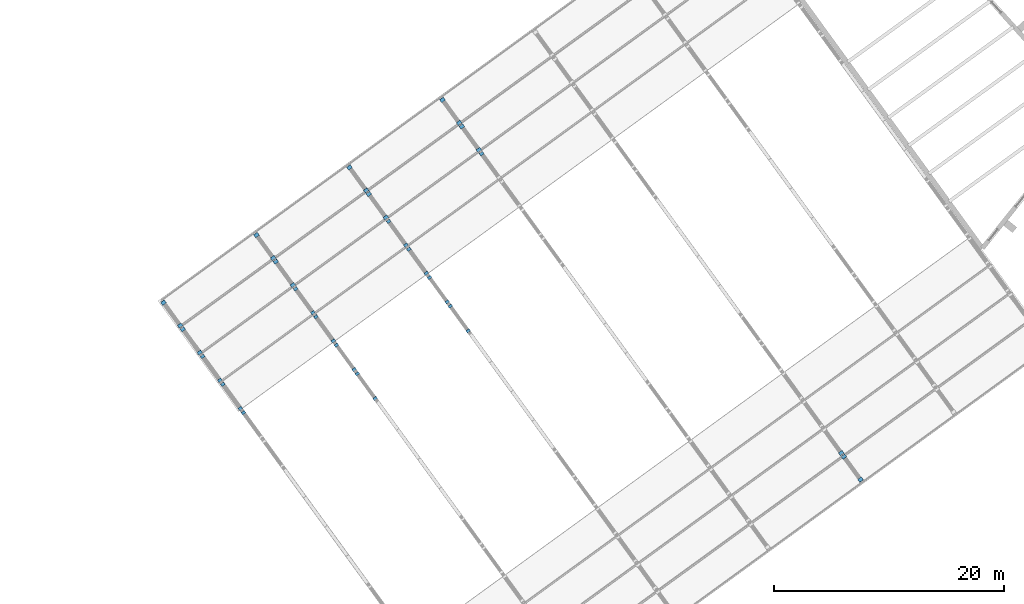
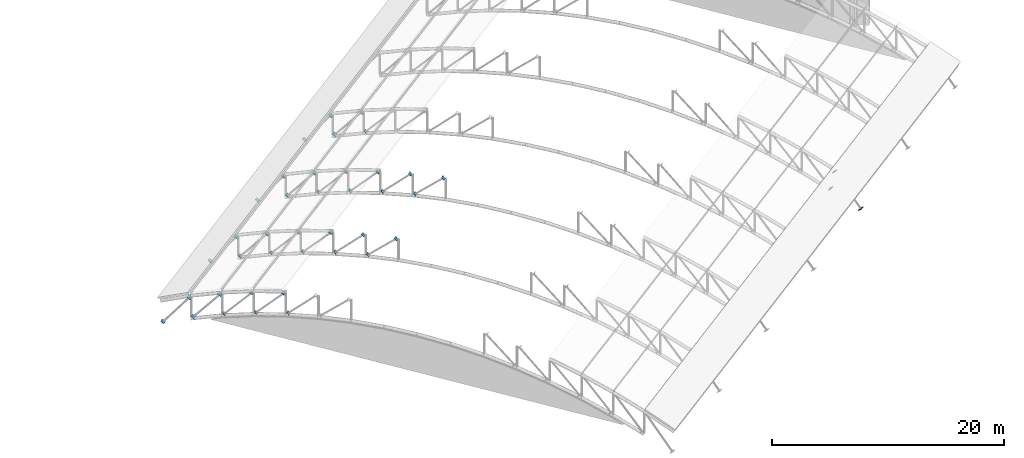
# One storey, part 65 of 69: 41 discrete accessories.
"""IFC4 building model written with IfcOpenShell, lengths in metres."""

from ifc_helpers import new_model, si_unit, direction, frame, origin, origin_2d, place, context, subcontext, project, spatial, rectangle, extrude, material, layer, layer_set, type_object, element, save


model = new_model("IFC4")

# Units and contexts
model_context = context("Model", 3, precision=1e-05, world=origin(), true_north=direction((0.0, 1.0)))
body_context = subcontext(model_context, "Body", "Model", "MODEL_VIEW")
ifc_project = project(units=[si_unit("LENGTHUNIT", "METRE"), si_unit("AREAUNIT", "SQUARE_METRE"), si_unit("VOLUMEUNIT", "CUBIC_METRE"), si_unit("PLANEANGLEUNIT", "RADIAN"), si_unit("MASSUNIT", "GRAM", prefix="KILO")], contexts=[model_context])

# Site, building, storey
site_placement = place(None, origin())
site = spatial("IfcSite", under=ifc_project, at=site_placement, CompositionType="ELEMENT")
building_placement = place(site_placement, origin())
building = spatial("IfcBuilding", under=site, at=building_placement, Name="Okhra Congress Centre", CompositionType="ELEMENT")
storey_placement = place(building_placement, frame((0.0, 0.0, 16.800048828125)))
storey = spatial("IfcBuildingStorey", under=building, at=storey_placement, Name="L03", CompositionType="ELEMENT", Elevation=16.800048828125)

# Discrete accessories
ifc_material = material(Name="Steel S355J2", Category="steel")
ifc_layer = layer(ifc_material, 0.02001953125)
ifc_layer_set = layer_set([ifc_layer], Name="Brace end connection plate 20 mm S355")
discrete_accessory_type = type_object("IfcDiscreteAccessoryType", Name="Brace end connection plate 20 mm S355", PredefinedType="BRACKET", material=ifc_layer_set)
discrete_accessory_1_placement = place(storey_placement, frame((206.765380859375, 187.82763671875, 2.67236328125), z_axis=(-0.418067898873, 0.577917389618, -0.700878536345), x_axis=(-0.81022441079, -0.586119786529, 0.0)))
element("IfcDiscreteAccessory", 1, at=discrete_accessory_1_placement, inside=storey, type_object=discrete_accessory_type, Name="Brace end connection plate", PredefinedType="BRACKET", context=body_context, shape_type="SweptSolid", body=[
    extrude(rectangle(XDim=0.3369140625, YDim=0.3369140625, at=origin_2d()), origin(), (0.0, 0.0, 1.0), 0.019775390625),
])
discrete_accessory_2_placement = place(storey_placement, frame((204.973388671875, 190.294189453125, 1.861572265625), z_axis=(-0.400036736006, 0.557626965342, -0.727339520011), x_axis=(-0.81253825063, -0.582907875452, 0.0)))
element("IfcDiscreteAccessory", 2, at=discrete_accessory_2_placement, inside=storey, type_object=discrete_accessory_type, Name="Brace end connection plate", PredefinedType="BRACKET", context=body_context, shape_type="SweptSolid", body=[
    extrude(rectangle(XDim=0.3369140625, YDim=0.3369140625, at=origin_2d()), origin(), (0.0, 0.0, 1.0), 0.02001953125),
])
discrete_accessory_3_placement = place(storey_placement, frame((206.48828125, 188.209228515625, 4.5908203125), z_axis=(0.406355872074, -0.554121643737, 0.726515044011), x_axis=(0.806404995856, 0.591363663628, 0.0)))
element("IfcDiscreteAccessory", 3, at=discrete_accessory_3_placement, inside=storey, type_object=discrete_accessory_type, Name="Brace end connection plate", PredefinedType="BRACKET", context=body_context, shape_type="SweptSolid", body=[
    extrude(rectangle(XDim=0.3369140625, YDim=0.3369140625, at=origin_2d()), origin(), (0.0, 0.0, 1.0), 0.019775390625),
])
for number, where, z_axis, x_axis, name in (
    (4, (203.212890625, 192.71728515625, 0.876220703125), (-0.391497724761, 0.538309371546, -0.746292537825), (-0.808736084303, -0.588171697675, 0.0), "Brace end connection plate"),
    (5, (204.705078125, 190.66357421875, 3.760986328125), (0.391497724761, -0.538309371546, 0.746292537825), (0.808736084303, 0.588171697675, 0.0), "Brace end connection plate"),
):
    element("IfcDiscreteAccessory", number, at=place(storey_placement, frame(where, z_axis=z_axis, x_axis=x_axis)), inside=storey, type_object=discrete_accessory_type, Name=name, PredefinedType="BRACKET", context=body_context, shape_type="SweptSolid", body=[
        extrude(rectangle(XDim=0.3369140625, YDim=0.3369140625, at=origin_2d()), origin(), (0.0, 0.0, 1.0), 0.02001953125),
    ])
discrete_accessory_4_placement = place(storey_placement, frame((201.489501953125, 195.08935546875, -0.28076171875), z_axis=(-0.375351079366, 0.508540172044, -0.7749183574), x_axis=(-0.804574079586, -0.593852296837, 0.0)))
element("IfcDiscreteAccessory", 6, at=discrete_accessory_4_placement, inside=storey, type_object=discrete_accessory_type, Name="Brace end connection plate", PredefinedType="BRACKET", context=body_context, shape_type="SweptSolid", body=[
    extrude(rectangle(XDim=0.386962890625, YDim=0.386962890625, at=origin_2d()), origin(), (0.0, 0.0, 1.0), 0.020263671875),
])
discrete_accessory_5_placement = place(storey_placement, frame((202.963623046875, 193.060546875, 2.777099609375), z_axis=(0.368354734342, -0.515696628079, 0.773544942118), x_axis=(0.813733471207, 0.581238193719, 0.0)))
element("IfcDiscreteAccessory", 7, at=discrete_accessory_5_placement, inside=storey, type_object=discrete_accessory_type, Name="Brace end connection plate", PredefinedType="BRACKET", context=body_context, shape_type="SweptSolid", body=[
    extrude(rectangle(XDim=0.386962890625, YDim=0.386962890625, at=origin_2d()), origin(), (0.0, 0.0, 1.0), 0.019775390625),
])
for number, where, z_axis, x_axis, name in (
    (8, (199.808837890625, 197.40234375, -1.60595703125), (-0.353055224717, 0.499147041841, -0.79133067609), (-0.816415639507, -0.577464720627, 0.0), "Brace end connection plate"),
    (9, (201.2548828125, 195.412353515625, 1.614990234375), (0.355193772836, -0.489922445291, 0.796123973598), (0.809610443394, 0.586967571461, 0.0), "Brace end connection plate"),
):
    element("IfcDiscreteAccessory", number, at=place(storey_placement, frame(where, z_axis=z_axis, x_axis=x_axis)), inside=storey, type_object=discrete_accessory_type, Name=name, PredefinedType="BRACKET", context=body_context, shape_type="SweptSolid", body=[
        extrude(rectangle(XDim=0.386962890625, YDim=0.386962890625, at=origin_2d()), origin(), (0.0, 0.0, 1.0), 0.02001953125),
    ])
for number, where, z_axis, x_axis, name in (
    (10, (216.66357421875, 191.21728515625, 3.290283203125), (-0.439089696959, 0.597649865305, -0.670831481465), (-0.805881812891, -0.592076433961, 0.0), "Brace end connection plate"),
    (11, (218.212890625, 189.084716796875, 5.7119140625), (0.429165270787, -0.600831379102, 0.67440256838), (0.813733471207, 0.581238193719, 0.0), "Brace end connection plate"),
    (12, (214.855712890625, 193.70556640625, 2.67236328125), (-0.428136558546, 0.574926235762, -0.697250966775), (-0.80204311034, -0.597266145998, 0.0), "Brace end connection plate"),
):
    element("IfcDiscreteAccessory", number, at=place(storey_placement, frame(where, z_axis=z_axis, x_axis=x_axis)), inside=storey, type_object=discrete_accessory_type, Name=name, PredefinedType="BRACKET", context=body_context, shape_type="SweptSolid", body=[
        extrude(rectangle(XDim=0.3369140625, YDim=0.3369140625, at=origin_2d()), origin(), (0.0, 0.0, 1.0), 0.02001953125),
    ])
discrete_accessory_6_placement = place(storey_placement, frame((216.38623046875, 191.598876953125, 5.24169921875), z_axis=(0.411584876058, -0.581061001493, 0.702115376804), x_axis=(0.816024481102, 0.57801734078, 0.0)))
element("IfcDiscreteAccessory", 13, at=discrete_accessory_6_placement, inside=storey, type_object=discrete_accessory_type, Name="Brace end connection plate", PredefinedType="BRACKET", context=body_context, shape_type="SweptSolid", body=[
    extrude(rectangle(XDim=0.3369140625, YDim=0.3369140625, at=origin_2d()), origin(), (0.0, 0.0, 1.0), 0.020263671875),
])
for number, where, z_axis, x_axis, name in (
    (14, (213.0634765625, 196.172119140625, 1.861572265625), (-0.400036736006, 0.557626965342, -0.727339520011), (-0.81253825063, -0.582907875452, 0.0), "Brace end connection plate"),
    (15, (214.578369140625, 194.087158203125, 4.5908203125), (0.403581038704, -0.562567508496, 0.721553978288), (0.81253825063, 0.582907875452, 0.0), "Brace end connection plate"),
    (16, (211.302978515625, 198.59521484375, 0.876220703125), (-0.391497724761, 0.538309371546, -0.746292537825), (-0.808736084303, -0.588171697675, 0.0), "Brace end connection plate"),
):
    element("IfcDiscreteAccessory", number, at=place(storey_placement, frame(where, z_axis=z_axis, x_axis=x_axis)), inside=storey, type_object=discrete_accessory_type, Name=name, PredefinedType="BRACKET", context=body_context, shape_type="SweptSolid", body=[
        extrude(rectangle(XDim=0.3369140625, YDim=0.3369140625, at=origin_2d()), origin(), (0.0, 0.0, 1.0), 0.02001953125),
    ])
discrete_accessory_7_placement = place(storey_placement, frame((212.795166015625, 196.541259765625, 3.760986328125), z_axis=(0.394071935469, -0.529534163287, 0.751199626988), x_axis=(0.802233221274, 0.59701076932, 0.0)))
element("IfcDiscreteAccessory", 17, at=discrete_accessory_7_placement, inside=storey, type_object=discrete_accessory_type, Name="Brace end connection plate", PredefinedType="BRACKET", context=body_context, shape_type="SweptSolid", body=[
    extrude(rectangle(XDim=0.3369140625, YDim=0.3369140625, at=origin_2d()), origin(), (0.0, 0.0, 1.0), 0.019775390625),
])
discrete_accessory_8_placement = place(storey_placement, frame((209.57958984375, 200.96728515625, -0.28076171875), z_axis=(-0.364878191558, 0.510829468181, -0.778406808657), x_axis=(-0.813733471207, -0.581238193719, 0.0)))
element("IfcDiscreteAccessory", 18, at=discrete_accessory_8_placement, inside=storey, type_object=discrete_accessory_type, Name="Brace end connection plate", PredefinedType="BRACKET", context=body_context, shape_type="SweptSolid", body=[
    extrude(rectangle(XDim=0.386962890625, YDim=0.386962890625, at=origin_2d()), origin(), (0.0, 0.0, 1.0), 0.02001953125),
])
discrete_accessory_9_placement = place(storey_placement, frame((211.0537109375, 198.9384765625, 2.777099609375), z_axis=(0.368354734342, -0.515696628079, 0.773544942118), x_axis=(0.813733471207, 0.581238193719, 0.0)))
element("IfcDiscreteAccessory", 19, at=discrete_accessory_9_placement, inside=storey, type_object=discrete_accessory_type, Name="Brace end connection plate", PredefinedType="BRACKET", context=body_context, shape_type="SweptSolid", body=[
    extrude(rectangle(XDim=0.386962890625, YDim=0.386962890625, at=origin_2d()), origin(), (0.0, 0.0, 1.0), 0.019775390625),
])
for number, where, z_axis, x_axis, name in (
    (20, (207.899169921875, 203.2802734375, -1.60595703125), (-0.355193772836, 0.489922445291, -0.796123973598), (-0.809610443394, -0.586967571461, 0.0), "Brace end connection plate"),
    (21, (209.344970703125, 201.290283203125, 1.614990234375), (0.355193772836, -0.489922445291, 0.796123973598), (0.809610443394, 0.586967571461, 0.0), "Brace end connection plate"),
):
    element("IfcDiscreteAccessory", number, at=place(storey_placement, frame(where, z_axis=z_axis, x_axis=x_axis)), inside=storey, type_object=discrete_accessory_type, Name=name, PredefinedType="BRACKET", context=body_context, shape_type="SweptSolid", body=[
        extrude(rectangle(XDim=0.386962890625, YDim=0.386962890625, at=origin_2d()), origin(), (0.0, 0.0, 1.0), 0.02001953125),
    ])
for number, where, z_axis, x_axis, name in (
    (22, (224.753662109375, 197.094970703125, 3.290283203125), (-0.439089696959, 0.597649865305, -0.670831481465), (-0.805881812891, -0.592076433961, 0.0), "Brace end connection plate"),
    (23, (226.302978515625, 194.962646484375, 5.7119140625), (0.429165270787, -0.600831379102, 0.67440256838), (0.813733471207, 0.581238193719, 0.0), "Brace end connection plate"),
    (24, (222.94580078125, 199.583251953125, 2.67236328125), (-0.415097407608, 0.586019869564, -0.695898595108), (-0.816024481102, -0.57801734078, 0.0), "Brace end connection plate"),
    (25, (224.476318359375, 197.4765625, 5.24169921875), (0.424499774842, -0.570042554788, 0.703456769738), (0.80204311034, 0.597266145998, 0.0), "Brace end connection plate"),
    (26, (221.153564453125, 202.050048828125, 1.861572265625), (-0.402738614266, 0.549189019454, -0.732252025938), (-0.806404995856, -0.591363663628, 0.0), "Brace end connection plate"),
    (27, (222.66845703125, 199.965087890625, 4.5908203125), (0.403581038704, -0.562567508496, 0.721553978288), (0.81253825063, 0.582907875452, 0.0), "Brace end connection plate"),
    (28, (219.393310546875, 204.47314453125, 0.876220703125), (-0.391497724761, 0.538309371546, -0.746292537825), (-0.808736084303, -0.588171697675, 0.0), "Brace end connection plate"),
    (29, (220.885498046875, 202.419189453125, 3.760986328125), (0.391497724761, -0.538309371546, 0.746292537825), (0.808736084303, 0.588171697675, 0.0), "Brace end connection plate"),
):
    element("IfcDiscreteAccessory", number, at=place(storey_placement, frame(where, z_axis=z_axis, x_axis=x_axis)), inside=storey, type_object=discrete_accessory_type, Name=name, PredefinedType="BRACKET", context=body_context, shape_type="SweptSolid", body=[
        extrude(rectangle(XDim=0.3369140625, YDim=0.3369140625, at=origin_2d()), origin(), (0.0, 0.0, 1.0), 0.02001953125),
    ])
discrete_accessory_10_placement = place(storey_placement, frame((217.669921875, 206.84521484375, -0.28076171875), z_axis=(-0.375351079366, 0.508540172044, -0.7749183574), x_axis=(-0.804574079586, -0.593852296837, 0.0)))
element("IfcDiscreteAccessory", 30, at=discrete_accessory_10_placement, inside=storey, type_object=discrete_accessory_type, Name="Brace end connection plate", PredefinedType="BRACKET", context=body_context, shape_type="SweptSolid", body=[
    extrude(rectangle(XDim=0.386962890625, YDim=0.386962890625, at=origin_2d()), origin(), (0.0, 0.0, 1.0), 0.020263671875),
])
for number, where, z_axis, x_axis, name in (
    (31, (219.143798828125, 204.81640625, 2.777099609375), (0.378894969968, -0.513341572215, 0.770012358322), (0.804574079586, 0.593852296837, 0.0), "Brace end connection plate"),
    (32, (215.9892578125, 209.158203125, -1.60595703125), (-0.355193772836, 0.489922445291, -0.796123973598), (-0.809610443394, -0.586967571461, 0.0), "Brace end connection plate"),
    (33, (217.43505859375, 207.16796875, 1.614990234375), (0.36582645651, -0.48776860868, 0.792623989105), (0.8, 0.6, 0.0), "Brace end connection plate"),
):
    element("IfcDiscreteAccessory", number, at=place(storey_placement, frame(where, z_axis=z_axis, x_axis=x_axis)), inside=storey, type_object=discrete_accessory_type, Name=name, PredefinedType="BRACKET", context=body_context, shape_type="SweptSolid", body=[
        extrude(rectangle(XDim=0.386962890625, YDim=0.386962890625, at=origin_2d()), origin(), (0.0, 0.0, 1.0), 0.02001953125),
    ])
discrete_accessory_11_placement = place(storey_placement, frame((227.4833984375, 210.350830078125, 0.876220703125), z_axis=(-0.391497724761, 0.538309371546, -0.746292537825), x_axis=(-0.808736084303, -0.588171697675, 0.0)))
element("IfcDiscreteAccessory", 34, at=discrete_accessory_11_placement, inside=storey, type_object=discrete_accessory_type, Name="Brace end connection plate", PredefinedType="BRACKET", context=body_context, shape_type="SweptSolid", body=[
    extrude(rectangle(XDim=0.3369140625, YDim=0.3369140625, at=origin_2d()), origin(), (0.0, 0.0, 1.0), 0.02001953125),
])
discrete_accessory_12_placement = place(storey_placement, frame((225.760009765625, 212.722900390625, -0.28076171875), z_axis=(-0.375351079366, 0.508540172044, -0.7749183574), x_axis=(-0.804574079586, -0.593852296837, 0.0)))
element("IfcDiscreteAccessory", 35, at=discrete_accessory_12_placement, inside=storey, type_object=discrete_accessory_type, Name="Brace end connection plate", PredefinedType="BRACKET", context=body_context, shape_type="SweptSolid", body=[
    extrude(rectangle(XDim=0.386962890625, YDim=0.386962890625, at=origin_2d()), origin(), (0.0, 0.0, 1.0), 0.020263671875),
])
discrete_accessory_13_placement = place(storey_placement, frame((227.234130859375, 210.694091796875, 2.777099609375), z_axis=(0.368354734342, -0.515696628079, 0.773544942118), x_axis=(0.813733471207, 0.581238193719, 0.0)))
element("IfcDiscreteAccessory", 36, at=discrete_accessory_13_placement, inside=storey, type_object=discrete_accessory_type, Name="Brace end connection plate", PredefinedType="BRACKET", context=body_context, shape_type="SweptSolid", body=[
    extrude(rectangle(XDim=0.386962890625, YDim=0.386962890625, at=origin_2d()), origin(), (0.0, 0.0, 1.0), 0.019775390625),
])
for number, where, z_axis, x_axis, name in (
    (37, (224.079345703125, 215.0361328125, -1.60595703125), (-0.355193772836, 0.489922445291, -0.796123973598), (-0.809610443394, -0.586967571461, 0.0), "Brace end connection plate"),
    (38, (225.525390625, 213.0458984375, 1.614990234375), (0.355193772836, -0.489922445291, 0.796123973598), (0.809610443394, 0.586967571461, 0.0), "Brace end connection plate"),
    (39, (260.432373046875, 182.013671875, -1.60595703125), (0.355193772836, -0.489922445291, -0.796123973598), (0.809610443394, 0.586967571461, 0.0), "Brace end connection plate"),
    (40, (258.986328125, 184.003662109375, 1.614990234375), (-0.355193772836, 0.489922445291, 0.796123973598), (-0.809610443394, -0.586967571461, 0.0), "Brace end connection plate"),
):
    element("IfcDiscreteAccessory", number, at=place(storey_placement, frame(where, z_axis=z_axis, x_axis=x_axis)), inside=storey, type_object=discrete_accessory_type, Name=name, PredefinedType="BRACKET", context=body_context, shape_type="SweptSolid", body=[
        extrude(rectangle(XDim=0.386962890625, YDim=0.386962890625, at=origin_2d()), origin(), (0.0, 0.0, 1.0), 0.02001953125),
    ])
discrete_accessory_14_placement = place(storey_placement, frame((258.751708984375, 184.32666015625, -0.28076171875), z_axis=(0.375351079366, -0.508540172044, -0.7749183574), x_axis=(0.804574079586, 0.593852296837, 0.0)))
element("IfcDiscreteAccessory", 41, at=discrete_accessory_14_placement, inside=storey, type_object=discrete_accessory_type, Name="Brace end connection plate", PredefinedType="BRACKET", context=body_context, shape_type="SweptSolid", body=[
    extrude(rectangle(XDim=0.386962890625, YDim=0.386962890625, at=origin_2d()), origin(), (0.0, 0.0, 1.0), 0.020263671875),
])

save(model, "model.ifc")
